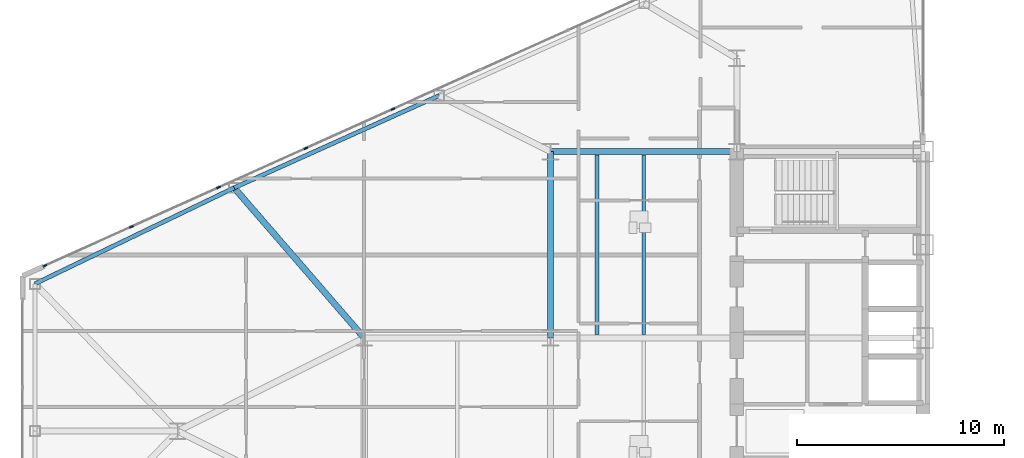
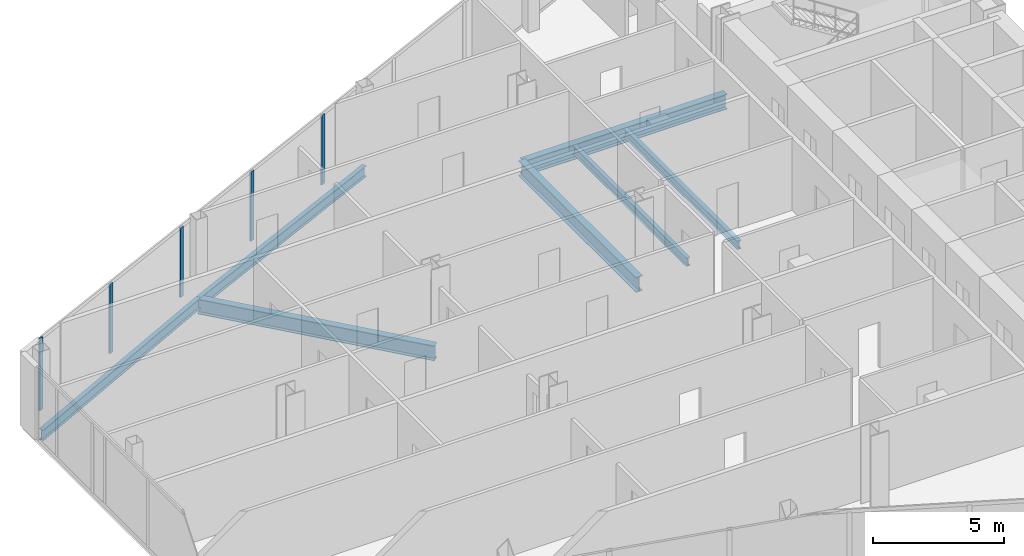
# One storey, part 7 of 27: 7 beams, 5 members, 1 element without a shape of its own.
"""IFC4 building model written with IfcOpenShell, lengths in metres."""

from ifc_helpers import new_model, si_unit, direction, frame, origin, origin_2d, place, context, subcontext, project, spatial, rectangle, i_section, extrude, source, transform, mapped, material, layer, layer_set, material_profile, profile_set, type_object, type_shapes, element, aggregate, save


model = new_model("IFC4")

# Units and contexts
model_context = context("Model", 3, precision=1e-05, world=origin(), true_north=direction((0.0, 1.0)))
body_context = subcontext(model_context, "Body", "Model", "MODEL_VIEW")
ifc_project = project(units=[si_unit("LENGTHUNIT", "METRE"), si_unit("AREAUNIT", "SQUARE_METRE"), si_unit("VOLUMEUNIT", "CUBIC_METRE"), si_unit("PLANEANGLEUNIT", "RADIAN"), si_unit("MASSUNIT", "GRAM", prefix="KILO")], contexts=[model_context])

# Site, building, storey
site_placement = place(None, origin())
site = spatial("IfcSite", under=ifc_project, at=site_placement, CompositionType="ELEMENT")
building_placement = place(site_placement, origin())
building = spatial("IfcBuilding", under=site, at=building_placement, Name="Seokmaru Belvedere", CompositionType="ELEMENT")
storey_placement = place(building_placement, frame((0.0, 0.0, 96.0)))
storey = spatial("IfcBuildingStorey", under=building, at=storey_placement, Name="L25", CompositionType="ELEMENT", Elevation=96.0)

# Beams
ifc_material_1 = material(Name="Steel SM355 (355 MPa)", Category="steel")
ifc_material_profile_1 = material_profile(ifc_material_1, i_section(OverallWidth=0.300048828125, OverallDepth=0.699951171875, WebThickness=0.012939453125, FlangeThickness=0.02392578125, at=origin_2d()), Name="H-700x300x13x24")
ifc_profile_set_1 = profile_set([ifc_material_profile_1], Name="Steel SM355 (355 MPa)")
beam_type_1 = type_object("IfcBeamType", Name="Primary Floor Girder H-700", PredefinedType="BEAM", material=ifc_profile_set_1)
shared_shape_1 = source(origin(), body_context, "Body", "SweptSolid", [
    extrude(i_section(OverallWidth=0.300048828125, OverallDepth=0.699951171875, WebThickness=0.012939453125, FlangeThickness=0.02392578125, at=origin_2d()), origin(), (0.0, 0.0, 1.0), 9.0),
])
for number, where, z_axis, x_axis, name in (
    (1, (-45.5, 4.5, -0.570068359375), (0.0, 1.0, 0.0), (-1.0, 0.0, 0.0), "L25 W Interior Grid Girder 3"),
    (2, (-45.5, 13.5, -0.570068359375), (1.0, 0.0, 0.0), (0.0, 1.0, 0.0), "L25 W Wing Primary Girder 4"),
):
    element("IfcBeam", number, at=place(storey_placement, frame(where, z_axis=z_axis, x_axis=x_axis)), inside=storey, type_object=beam_type_1, Name=name, PredefinedType="BEAM", context=body_context, shape_type="MappedRepresentation", body=[
        mapped(shared_shape_1, transform((0.0, 0.0, 0.0), scale=1.0)),
    ])
ifc_material_profile_2 = material_profile(ifc_material_1, i_section(OverallWidth=0.18505859375, OverallDepth=0.389892578125, WebThickness=0.008056640625, FlangeThickness=0.011962890625, at=origin_2d()), Name="H-390x185x8x12")
ifc_profile_set_2 = profile_set([ifc_material_profile_2], Name="Steel SM355 (355 MPa)")
beam_type_2 = type_object("IfcBeamType", Name="Secondary Floor Joist H-350", PredefinedType="JOIST", material=ifc_profile_set_2)
shared_shape_2 = source(origin(), body_context, "Body", "SweptSolid", [
    extrude(i_section(OverallWidth=0.18505859375, OverallDepth=0.389892578125, WebThickness=0.008056640625, FlangeThickness=0.011962890625, at=origin_2d()), origin(), (0.0, 0.0, 1.0), 8.68994140625),
])
type_shapes(beam_type_2, [shared_shape_2])
for number, where, z_axis, x_axis, name in (
    (3, (-43.25, 4.655029296875, -0.4150390625), (0.0, 1.0, 0.0), (-1.0, 0.0, 0.0), "L25 W Wing Inner Secondary Joist 2"),
    (4, (-41.0, 4.655029296875, -0.4150390625), (0.0, 1.0, 0.0), (-1.0, 0.0, 0.0), "L25 W Secondary Floor Joist 3"),
):
    element("IfcBeam", number, at=place(storey_placement, frame(where, z_axis=z_axis, x_axis=x_axis)), inside=storey, type_object=beam_type_2, Name=name, PredefinedType="JOIST", context=body_context, shape_type="MappedRepresentation", body=[
        mapped(shared_shape_2, transform((0.0, 0.0, 0.0), scale=1.0)),
    ])
ifc_material_profile_3 = material_profile(ifc_material_1, i_section(OverallWidth=0.199951171875, OverallDepth=0.5, WebThickness=0.010009765625, FlangeThickness=0.01611328125, at=origin_2d()), Name="H-500x200x10x16")
ifc_profile_set_3 = profile_set([ifc_material_profile_3], Name="Steel SM355 (355 MPa)")
beam_type_3 = type_object("IfcBeamType", Name="Perimeter Spandrel Beam H-500", PredefinedType="SPANDREL", material=ifc_profile_set_3)
shared_shape_3 = source(origin(), body_context, "Body", "SweptSolid", [
    extrude(i_section(OverallWidth=0.199951171875, OverallDepth=0.5, WebThickness=0.010009765625, FlangeThickness=0.01611328125, at=origin_2d()), origin(), (0.0, 0.0, 1.0), 10.85888671875),
])
beam_1_placement = place(storey_placement, frame((-50.875, 16.205322265625, -0.469970703125), z_axis=(-0.911925291223, -0.410356263785, 0.0), x_axis=(0.410356263785, -0.911925291223, 0.0)))
element("IfcBeam", 5, at=beam_1_placement, inside=storey, type_object=beam_type_3, Name="L25 W Faceted Flank Spandrel N-3", PredefinedType="SPANDREL", context=body_context, shape_type="MappedRepresentation", body=[
    mapped(shared_shape_3, transform((0.0, 0.0, 0.0), scale=1.0)),
])
shared_shape_4 = source(origin(), body_context, "Body", "SweptSolid", [
    extrude(i_section(OverallWidth=0.199951171875, OverallDepth=0.5, WebThickness=0.010009765625, FlangeThickness=0.01611328125, at=origin_2d()), origin(), (0.0, 0.0, 1.0), 10.681396484375),
])
type_shapes(beam_type_3, [shared_shape_3, shared_shape_4])
beam_2_placement = place(storey_placement, frame((-60.777587890625, 11.749267578125, -0.469970703125), z_axis=(-0.900846426616, -0.434137899352, 0.0), x_axis=(0.434137899352, -0.900846426616, 0.0)))
element("IfcBeam", 6, at=beam_2_placement, inside=storey, type_object=beam_type_3, Name="L25 W Faceted Flank Spandrel N-4", PredefinedType="SPANDREL", context=body_context, shape_type="MappedRepresentation", body=[
    mapped(shared_shape_4, transform((0.0, 0.0, 0.0), scale=1.0)),
])
shared_shape_5 = source(origin(), body_context, "Body", "SweptSolid", [
    extrude(i_section(OverallWidth=0.300048828125, OverallDepth=0.699951171875, WebThickness=0.012939453125, FlangeThickness=0.02392578125, at=origin_2d()), origin(), (0.0, 0.0, 1.0), 9.589599609375),
])
type_shapes(beam_type_1, [shared_shape_1, shared_shape_5])
beam_3_placement = place(storey_placement, frame((-60.777587890625, 11.749267578125, -0.570068359375), z_axis=(0.654626140929, -0.755952786629, 0.0), x_axis=(0.755952786629, 0.654626140929, 0.0)))
element("IfcBeam", 7, at=beam_3_placement, inside=storey, type_object=beam_type_1, Name="L25 W Flank Radial Floor Girder N-3", PredefinedType="BEAM", context=body_context, shape_type="MappedRepresentation", body=[
    mapped(shared_shape_5, transform((0.0, 0.0, 0.0), scale=1.0)),
])

# Curtain wall, members
ifc_material_2 = material(Name="Bronze Triple Insulating Glass", Category="glass")
ifc_layer = layer(ifc_material_2, 0.195068359375)
ifc_layer_set = layer_set([ifc_layer], Name="Bronze Triple Insulating Glass")
curtain_wall_type = type_object("IfcCurtainWallType", Name="Lower-Mid Tapered Curtain Wall System CW-3", PredefinedType="NOTDEFINED", material=ifc_layer_set)
curtain_wall_placement = place(storey_placement, origin())
curtain_wall = element("IfcCurtainWall", 8, at=curtain_wall_placement, inside=storey, type_object=curtain_wall_type, Name="L25 Curtain Wall WF3", PredefinedType="NOTDEFINED")
ifc_material_3 = material(Name="Anodised Bronze Aluminium", Category="aluminium")
ifc_material_profile_4 = material_profile(ifc_material_3, rectangle(XDim=0.070068359375, YDim=0.195068359375, at=origin_2d()), Name="CW-M-70x195")
ifc_profile_set_4 = profile_set([ifc_material_profile_4], Name="Anodised Bronze Aluminium")
member_type = type_object("IfcMemberType", Name="Bronze Unitised Mullion 70x195", PredefinedType="MULLION", material=ifc_profile_set_4)
shared_shape_6 = source(origin(), body_context, "Body", "SweptSolid", [
    extrude(rectangle(XDim=0.070068359375, YDim=0.195068359375, at=origin_2d()), origin(), (0.0, 0.0, 1.0), 3.3798828125),
])
member_1_placement = place(storey_placement, frame((-69.91943359375, 7.986328125, 0.0), z_axis=(0.0, 0.0, 1.0), x_axis=(0.41036554765, -0.91192111353, 0.0)))
member_1 = element("IfcMember", 9, at=member_1_placement, type_object=member_type, Name="CW:L25:WF3 Mullion 10", PredefinedType="MULLION", context=body_context, shape_type="MappedRepresentation", body=[
    mapped(shared_shape_6, transform((0.0, 0.0, 0.0), scale=1.0)),
])
shared_shape_7 = source(origin(), body_context, "Body", "SweptSolid", [
    extrude(rectangle(XDim=0.070068359375, YDim=0.195068359375, at=origin_2d()), origin(), (0.0, 0.0, 1.0), 3.239990234375),
])
type_shapes(member_type, [shared_shape_6, shared_shape_7])
member_2_placement = place(storey_placement, frame((-53.105712890625, 15.552490234375, 0.070068359375), z_axis=(0.0, 0.0, 1.0), x_axis=(0.41036554765, -0.91192111353, 0.0)))
member_2 = element("IfcMember", 10, at=member_2_placement, type_object=member_type, Name="CW:L25:WF3 Mullion 6", PredefinedType="MULLION", context=body_context, shape_type="MappedRepresentation", body=[
    mapped(shared_shape_7, transform((0.0, 0.0, 0.0), scale=1.0)),
])
member_3_placement = place(storey_placement, frame((-57.317138671875, 13.6572265625, 0.070068359375), z_axis=(0.0, 0.0, 1.0), x_axis=(0.41036554765, -0.91192111353, 0.0)))
member_3 = element("IfcMember", 11, at=member_3_placement, type_object=member_type, Name="CW:L25:WF3 Mullion 7", PredefinedType="MULLION", context=body_context, shape_type="MappedRepresentation", body=[
    mapped(shared_shape_7, transform((0.0, 0.0, 0.0), scale=1.0)),
])
member_4_placement = place(storey_placement, frame((-61.528564453125, 11.76220703125, 0.070068359375), z_axis=(0.0, 0.0, 1.0), x_axis=(0.41036554765, -0.91192111353, 0.0)))
member_4 = element("IfcMember", 12, at=member_4_placement, type_object=member_type, Name="CW:L25:WF3 Mullion 8", PredefinedType="MULLION", context=body_context, shape_type="MappedRepresentation", body=[
    mapped(shared_shape_7, transform((0.0, 0.0, 0.0), scale=1.0)),
])
member_5_placement = place(storey_placement, frame((-65.739990234375, 9.866943359375, 0.070068359375), z_axis=(0.0, 0.0, 1.0), x_axis=(0.41036554765, -0.91192111353, 0.0)))
member_5 = element("IfcMember", 13, at=member_5_placement, type_object=member_type, Name="CW:L25:WF3 Mullion 9", PredefinedType="MULLION", context=body_context, shape_type="MappedRepresentation", body=[
    mapped(shared_shape_7, transform((0.0, 0.0, 0.0), scale=1.0)),
])
aggregate(curtain_wall, [member_2, member_3, member_4, member_5, member_1])

save(model, "model.ifc")
